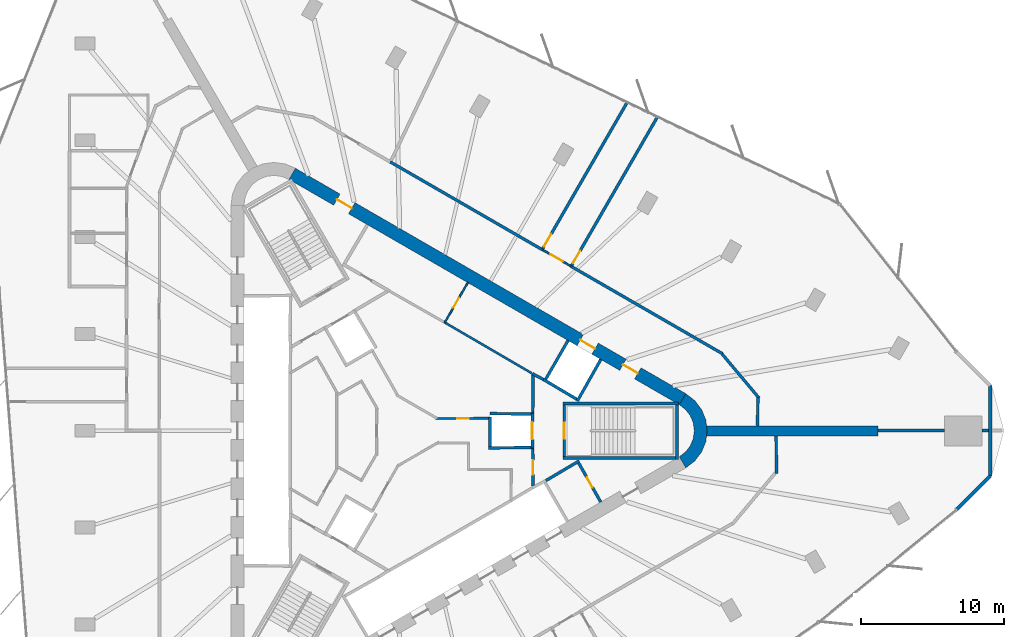
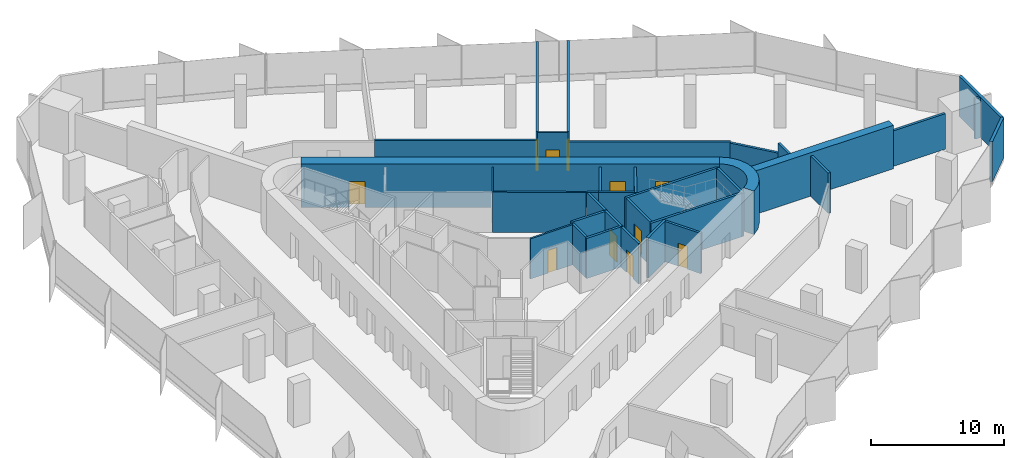
# One storey, part 11 of 13: 34 walls, 12 doors, 12 openings.
"""IFC4 building model written with IfcOpenShell, lengths in metres."""

from ifc_helpers import new_model, si_unit, direction, frame, frame_2d, origin, place, context, subcontext, project, spatial, polyline, rectangle, outline, extrude, material, layer, layer_set, type_object, element, fill, save


model = new_model("IFC4")

# Units and contexts
model_context = context("Model", 3, precision=1e-05, world=origin(), true_north=direction((0.0, 1.0)))
body_context = subcontext(model_context, "Body", "Model", "MODEL_VIEW")
ifc_project = project(units=[si_unit("LENGTHUNIT", "METRE"), si_unit("AREAUNIT", "SQUARE_METRE"), si_unit("VOLUMEUNIT", "CUBIC_METRE"), si_unit("PLANEANGLEUNIT", "RADIAN"), si_unit("MASSUNIT", "GRAM", prefix="KILO")], contexts=[model_context])

# Site, building, storey
site_placement = place(None, origin())
site = spatial("IfcSite", under=ifc_project, at=site_placement, CompositionType="ELEMENT")
building_placement = place(site_placement, origin())
building = spatial("IfcBuilding", under=site, at=building_placement, Name="Tanit Gate Tower", CompositionType="ELEMENT")
storey_placement = place(building_placement, frame((0.0, 0.0, 201.199951171875)))
storey = spatial("IfcBuildingStorey", under=building, at=storey_placement, Name="L44", CompositionType="ELEMENT", Elevation=201.199951171875)

# Wall
ifc_material_1 = material(Name="Concrete C50/60", Category="concrete")
ifc_layer_1 = layer(ifc_material_1, 0.699951171875)
ifc_layer_set_1 = layer_set([ifc_layer_1], Name="BUTTRESS FIN 700 C50/60")
wall_type_1 = type_object("IfcWallType", Name="BUTTRESS FIN 700 C50/60", PredefinedType="SHEAR", material=ifc_layer_set_1)
wall_1_placement = place(storey_placement, frame((21.14990234375, 0.0, 0.0), z_axis=(0.0, 0.0, 1.0), x_axis=(1.0, 0.0, 0.0)))
element("IfcWall", 1, at=wall_1_placement, inside=storey, type_object=wall_type_1, Name="BUTTRESS FIN", PredefinedType="SHEAR", context=body_context, shape_type="SweptSolid", body=[
    extrude(rectangle(XDim=12.0068359375, YDim=0.699951171875, at=frame_2d((6.00341796875, 0.0))), origin(), (0.0, 0.0, 1.0), 4.0),
])

# Wall, openings, doors
ifc_material_2 = material(Name="Concrete C50/60", Category="concrete")
ifc_layer_2 = layer(ifc_material_2, 0.89990234375)
ifc_layer_set_2 = layer_set([ifc_layer_2], Name="CORE WALL 900 C50/60")
wall_type_2 = type_object("IfcWallType", Name="CORE WALL 900 C50/60", PredefinedType="SHEAR", material=ifc_layer_set_2)
wall_2_placement = place(storey_placement, frame((19.47509765625, 2.20849609375, 0.0), z_axis=(0.0, 0.0, 1.0), x_axis=(-0.866028369851, 0.499994862586, 0.0)))
wall_2 = element("IfcWall", 2, at=wall_2_placement, inside=storey, type_object=wall_type_2, Name="CORE WALL", PredefinedType="SHEAR", context=body_context, shape_type="SweptSolid", body=[
    extrude(rectangle(XDim=31.523193359375, YDim=0.89990234375, at=frame_2d((15.76171875, 0.0))), origin(), (0.0, 0.0, 1.0), 4.0),
])
opening_1_placement = place(wall_2_placement, frame((7.0615234375, 0.0, 0.0)))
opening_1 = element("IfcOpeningElement", 3, at=opening_1_placement, cuts=wall_2, Name="Opening LDML8-S11", PredefinedType="OPENING", context=body_context, shape_type="SweptSolid", body=[
    extrude(rectangle(XDim=1.199951171875, YDim=2.39990234375, at=frame_2d((0.60009765625, 1.199951171875))), frame((0.0, 0.4599609375, 0.0), z_axis=(0.0, -1.0, 0.0), x_axis=(1.0, 0.0, 0.0)), (0.0, 0.0, 1.0), 0.919921875),
])
opening_2_placement = place(wall_2_placement, frame((3.611572265625, 0.0, 0.0)))
opening_2 = element("IfcOpeningElement", 4, at=opening_2_placement, cuts=wall_2, Name="Opening F12-S11-FL1", PredefinedType="OPENING", context=body_context, shape_type="SweptSolid", body=[
    extrude(rectangle(XDim=1.199951171875, YDim=2.39990234375, at=frame_2d((0.60009765625, 1.199951171875))), frame((0.0, 0.4599609375, 0.0), z_axis=(0.0, -1.0, 0.0), x_axis=(1.0, 0.0, 0.0)), (0.0, 0.0, 1.0), 0.919921875),
])
opening_3_placement = place(wall_2_placement, frame((26.711669921875, 0.0, 0.0)))
opening_3 = element("IfcOpeningElement", 5, at=opening_3_placement, cuts=wall_2, Name="Opening F12-S11-S2", PredefinedType="OPENING", context=body_context, shape_type="SweptSolid", body=[
    extrude(rectangle(XDim=1.199951171875, YDim=2.39990234375, at=frame_2d((0.60009765625, 1.199951171875))), frame((0.0, 0.4599609375, 0.0), z_axis=(0.0, -1.0, 0.0), x_axis=(1.0, 0.0, 0.0)), (0.0, 0.0, 1.0), 0.919921875),
])
ifc_material_3 = material(Name="Fire-rated steel door leaf", Category="steel")
door_type_1 = type_object("IfcDoorType", Name="INT-DOOR-FIRE-LOBBY-1200", OperationType="NOTDEFINED", PredefinedType="USERDEFINED", material=ifc_material_3)
door_1_placement = place(opening_2_placement, origin())
door_1 = element("IfcDoor", 6, at=door_1_placement, inside=storey, type_object=door_type_1, Name="Door F12-S11-FL1", ObjectType="FIRE DOOR", OperationType="SINGLE_SWING_LEFT", OverallHeight=2.39990234375, OverallWidth=1.199951171875, PredefinedType="USERDEFINED", context=body_context, shape_type="SweptSolid", body=[
    extrude(rectangle(XDim=1.199951171875, YDim=2.39990234375, at=frame_2d((0.60009765625, 1.199951171875))), frame((0.0, 0.02490234375, 0.0), z_axis=(0.0, -1.0, 0.0), x_axis=(1.0, 0.0, 0.0)), (0.0, 0.0, 1.0), 0.050048828125),
])
fill(opening_2, door_1)
door_2_placement = place(opening_3_placement, origin())
door_2 = element("IfcDoor", 7, at=door_2_placement, inside=storey, type_object=door_type_1, Name="Door F12-S11-S2", ObjectType="FIRE DOOR", OperationType="SINGLE_SWING_LEFT", OverallHeight=2.39990234375, OverallWidth=1.199951171875, PredefinedType="USERDEFINED", context=body_context, shape_type="SweptSolid", body=[
    extrude(rectangle(XDim=1.199951171875, YDim=2.39990234375, at=frame_2d((0.60009765625, 1.199951171875))), frame((0.0, 0.02490234375, 0.0), z_axis=(0.0, -1.0, 0.0), x_axis=(1.0, 0.0, 0.0)), (0.0, 0.0, 1.0), 0.050048828125),
])
fill(opening_3, door_2)
ifc_material_4 = material(Name="Stainless steel sliding door leaf", Category="steel")
door_type_2 = type_object("IfcDoorType", Name="INT-DOOR-LANDING-1200", OperationType="NOTDEFINED", PredefinedType="USERDEFINED", material=ifc_material_4)
door_3_placement = place(opening_1_placement, origin())
door_3 = element("IfcDoor", 8, at=door_3_placement, inside=storey, type_object=door_type_2, Name="Door LDML8-S11", ObjectType="LANDING DOOR", OperationType="SLIDING_TO_LEFT", OverallHeight=2.39990234375, OverallWidth=1.199951171875, PredefinedType="USERDEFINED", context=body_context, shape_type="SweptSolid", body=[
    extrude(rectangle(XDim=1.199951171875, YDim=2.39990234375, at=frame_2d((0.60009765625, 1.199951171875))), frame((0.0, 0.02490234375, 0.0), z_axis=(0.0, -1.0, 0.0), x_axis=(1.0, 0.0, 0.0)), (0.0, 0.0, 1.0), 0.050048828125),
])
fill(opening_1, door_3)

# Walls
wall_3_placement = place(storey_placement, origin())
element("IfcWall", 9, at=wall_3_placement, inside=storey, type_object=wall_type_2, Name="CORE WALL CORNER", PredefinedType="SHEAR", context=body_context, shape_type="SweptSolid", body=[
    extrude(outline(polyline([(19.699951171875, -2.59814453125), (20.3212890625, -2.121337890625), (20.798095703125, -1.5), (21.097900390625, -0.776611328125), (21.199951171875, 0.0), (21.097900390625, 0.776611328125), (20.798095703125, 1.5), (20.3212890625, 2.121337890625), (19.699951171875, 2.59814453125), (19.25, 1.818603515625), (19.684814453125, 1.48486328125), (20.018798828125, 1.050048828125), (20.228515625, 0.54345703125), (20.300048828125, 0.0), (20.228515625, -0.54345703125), (20.018798828125, -1.050048828125), (19.684814453125, -1.48486328125), (19.25, -1.818603515625), (19.699951171875, -2.59814453125)])), origin(), (0.0, 0.0, 1.0), 4.0),
])
ifc_material_5 = material(Name="Concrete C30/37 with bronze anodised aluminium cladding", Category="concrete")
ifc_layer_3 = layer(ifc_material_5, 0.239990234375)
ifc_layer_set_3 = layer_set([ifc_layer_3], Name="Facade wall bronze clad 240")
wall_type_3 = type_object("IfcWallType", Name="Facade wall bronze clad 240", PredefinedType="SOLIDWALL", material=ifc_layer_set_3)
wall_4_placement = place(storey_placement, frame((38.648681640625, -5.5009765625, 0.0), z_axis=(0.0, 0.0, 1.0), x_axis=(0.707106781187, 0.707106781187, 0.0)))
element("IfcWall", 10, at=wall_4_placement, inside=storey, type_object=wall_type_3, Name="Bronze-clad facade wall L44 E.arc1", PredefinedType="SOLIDWALL", context=body_context, shape_type="SweptSolid", body=[
    extrude(rectangle(XDim=3.30322265625, YDim=0.239990234375, at=frame_2d((1.651611328125, 0.0))), origin(), (0.0, 0.0, 1.0), 3.699951171875),
])
wall_5_placement = place(storey_placement, frame((40.984375, -3.165283203125, 0.0), z_axis=(0.0, 0.0, 1.0), x_axis=(0.0, 1.0, 0.0)))
element("IfcWall", 11, at=wall_5_placement, inside=storey, type_object=wall_type_3, Name="Bronze-clad facade wall L44 E.arc2", PredefinedType="SOLIDWALL", context=body_context, shape_type="SweptSolid", body=[
    extrude(rectangle(XDim=6.33056640625, YDim=0.239990234375, at=frame_2d((3.165283203125, 0.0))), origin(), (0.0, 0.0, 1.0), 3.699951171875),
])
ifc_material_6 = material(Name="Fire-rated gypsum board partition")
ifc_layer_4 = layer(ifc_material_6, 0.199951171875)
ifc_layer_set_4 = layer_set([ifc_layer_4], Name="INT-WALL-COMPARTMENT")
wall_type_4 = type_object("IfcWallType", Name="INT-WALL-COMPARTMENT", PredefinedType="PARTITIONING", material=ifc_layer_set_4)
wall_6_placement = place(storey_placement, frame((8.97412109375, 3.998779296875, 0.0), z_axis=(0.0, 0.0, 1.0), x_axis=(0.880917147855, -0.473270513147, 0.0)))
element("IfcWall", 12, at=wall_6_placement, inside=storey, type_object=wall_type_4, Name="Wall Compartment W050", PredefinedType="PARTITIONING", context=body_context, shape_type="SweptSolid", body=[
    extrude(rectangle(XDim=0.8779296875, YDim=0.199951171875, at=frame_2d((0.43896484375, 0.0))), origin(), (0.0, 0.0, 1.0), 3.699951171875),
])
wall_7_placement = place(storey_placement, frame((12.244873046875, -2.10888671875, 0.0), z_axis=(0.0, 0.0, 1.0), x_axis=(-0.860414880418, -0.509594185166, 0.0)))
element("IfcWall", 13, at=wall_7_placement, inside=storey, type_object=wall_type_4, Name="Wall Compartment W055", PredefinedType="PARTITIONING", context=body_context, shape_type="SweptSolid", body=[
    extrude(rectangle(XDim=2.7001953125, YDim=0.199951171875, at=frame_2d((1.35009765625, 0.0))), origin(), (0.0, 0.0, 1.0), 3.699951171875),
])

# Wall, opening, door
wall_8_placement = place(storey_placement, frame((13.758056640625, -4.989501953125, 0.0), z_axis=(0.0, 0.0, 1.0), x_axis=(-0.491993409184, 0.87059892334, 0.0)))
wall_8 = element("IfcWall", 14, at=wall_8_placement, inside=storey, type_object=wall_type_4, Name="Wall Compartment W056", PredefinedType="PARTITIONING", context=body_context, shape_type="SweptSolid", body=[
    extrude(rectangle(XDim=3.150146484375, YDim=0.199951171875, at=frame_2d((1.5751953125, 0.0))), origin(), (0.0, 0.0, 1.0), 3.699951171875),
])
opening_4_placement = place(wall_8_placement, frame((1.175048828125, 0.0, 0.0)))
opening_4 = element("IfcOpeningElement", 15, at=opening_4_placement, cuts=wall_8, Name="Opening R08-S11-16", PredefinedType="OPENING", context=body_context, shape_type="SweptSolid", body=[
    extrude(rectangle(XDim=0.800048828125, YDim=2.10009765625, at=frame_2d((0.39990234375, 1.050048828125))), frame((0.0, 0.10986328125, 0.0), z_axis=(0.0, -1.0, 0.0), x_axis=(1.0, 0.0, 0.0)), (0.0, 0.0, 1.0), 0.219970703125),
])
ifc_material_7 = material(Name="Timber door leaf", Category="wood")
door_type_3 = type_object("IfcDoorType", Name="INT-DOOR-RISER-800", OperationType="NOTDEFINED", PredefinedType="USERDEFINED", material=ifc_material_7)
door_4_placement = place(opening_4_placement, origin())
door_4 = element("IfcDoor", 16, at=door_4_placement, inside=storey, type_object=door_type_3, Name="Door R08-S11-16", ObjectType="FIRE DOOR", OperationType="SINGLE_SWING_RIGHT", OverallHeight=2.10009765625, OverallWidth=0.800048828125, PredefinedType="USERDEFINED", context=body_context, shape_type="SweptSolid", body=[
    extrude(rectangle(XDim=0.800048828125, YDim=2.10009765625, at=frame_2d((0.39990234375, 1.050048828125))), frame((0.0, 0.02490234375, 0.0), z_axis=(0.0, -1.0, 0.0), x_axis=(1.0, 0.0, 0.0)), (0.0, 0.0, 1.0), 0.050048828125),
])
fill(opening_4, door_4)

# Wall
wall_9_placement = place(storey_placement, frame((9.0009765625, 1.27001953125, 0.0), z_axis=(0.0, 0.0, 1.0), x_axis=(0.010747252091, 0.999942246619, 0.0)))
element("IfcWall", 17, at=wall_9_placement, inside=storey, type_object=wall_type_4, Name="Wall Compartment W057", PredefinedType="PARTITIONING", context=body_context, shape_type="SweptSolid", body=[
    extrude(rectangle(XDim=2.72607421875, YDim=0.199951171875, at=frame_2d((1.363037109375, 0.0))), origin(), (0.0, 0.0, 1.0), 3.699951171875),
])

# Wall, opening, door
wall_10_placement = place(storey_placement, frame((9.02880859375, -3.850830078125, 0.0), z_axis=(0.0, 0.0, 1.0), x_axis=(-0.010783593937, 0.99994185536, 0.0)))
wall_10 = element("IfcWall", 18, at=wall_10_placement, inside=storey, type_object=wall_type_4, Name="Wall Compartment W058", PredefinedType="PARTITIONING", context=body_context, shape_type="SweptSolid", body=[
    extrude(rectangle(XDim=2.5810546875, YDim=0.199951171875, at=frame_2d((1.29052734375, 0.0))), origin(), (0.0, 0.0, 1.0), 3.699951171875),
])
opening_5_placement = place(wall_10_placement, frame((0.79052734375, 0.0, 0.0)))
opening_5 = element("IfcOpeningElement", 19, at=opening_5_placement, cuts=wall_10, Name="Opening F10-S11-02", PredefinedType="OPENING", context=body_context, shape_type="SweptSolid", body=[
    extrude(rectangle(XDim=1.0, YDim=2.10009765625, at=frame_2d((0.5, 1.050048828125))), frame((0.0, 0.10986328125, 0.0), z_axis=(0.0, -1.0, 0.0), x_axis=(1.0, 0.0, 0.0)), (0.0, 0.0, 1.0), 0.219970703125),
])
ifc_material_8 = material(Name="Fire-rated steel door leaf", Category="steel")
door_type_4 = type_object("IfcDoorType", Name="INT-DOOR-FIRE-1000", OperationType="NOTDEFINED", PredefinedType="USERDEFINED", material=ifc_material_8)
door_5_placement = place(opening_5_placement, origin())
door_5 = element("IfcDoor", 20, at=door_5_placement, inside=storey, type_object=door_type_4, Name="Door F10-S11-02", ObjectType="FIRE DOOR", OperationType="SINGLE_SWING_RIGHT", OverallHeight=2.10009765625, OverallWidth=1.0, PredefinedType="USERDEFINED", context=body_context, shape_type="SweptSolid", body=[
    extrude(rectangle(XDim=1.0, YDim=2.10009765625, at=frame_2d((0.5, 1.050048828125))), frame((0.0, 0.02490234375, 0.0), z_axis=(0.0, -1.0, 0.0), x_axis=(1.0, 0.0, 0.0)), (0.0, 0.0, 1.0), 0.050048828125),
])
fill(opening_5, door_5)

# Walls
wall_11_placement = place(storey_placement, frame((22.270263671875, 5.386474609375, 0.0), z_axis=(0.0, 0.0, 1.0), x_axis=(-0.866019551165, 0.500010136897, 0.0)))
element("IfcWall", 21, at=wall_11_placement, inside=storey, type_object=wall_type_4, Name="Wall Compartment W104", PredefinedType="PARTITIONING", context=body_context, shape_type="SweptSolid", body=[
    extrude(rectangle(XDim=12.243408203125, YDim=0.199951171875, at=frame_2d((6.12158203125, 0.0))), origin(), (0.0, 0.0, 1.0), 2.880126953125),
])
wall_12_placement = place(storey_placement, frame((9.67529296875, 12.658203125, 0.0), z_axis=(0.0, 0.0, 1.0), x_axis=(-0.866018456403, 0.500012033024, 0.0)))
element("IfcWall", 22, at=wall_12_placement, inside=storey, type_object=wall_type_4, Name="Wall Compartment W103", PredefinedType="PARTITIONING", context=body_context, shape_type="SweptSolid", body=[
    extrude(rectangle(XDim=12.284912109375, YDim=0.199951171875, at=frame_2d((6.142578125, 0.0))), origin(), (0.0, 0.0, 1.0), 2.97998046875),
])
wall_13_placement = place(storey_placement, frame((24.82080078125, 2.293701171875, 0.0), z_axis=(0.0, 0.0, 1.0), x_axis=(-0.642778579944, 0.766052019882, 0.0)))
element("IfcWall", 23, at=wall_13_placement, inside=storey, type_object=wall_type_4, Name="Wall Compartment W105", PredefinedType="PARTITIONING", context=body_context, shape_type="SweptSolid", body=[
    extrude(rectangle(XDim=4.00244140625, YDim=0.199951171875, at=frame_2d((2.001220703125, 0.0))), origin(), (0.0, 0.0, 1.0), 2.780029296875),
])
wall_14_placement = place(storey_placement, frame((24.720703125, 0.35009765625, 0.0), z_axis=(0.0, 0.0, 1.0), x_axis=(0.012552857034, 0.999921209786, 0.0)))
element("IfcWall", 24, at=wall_14_placement, inside=storey, type_object=wall_type_4, Name="Wall Compartment W106", PredefinedType="PARTITIONING", context=body_context, shape_type="SweptSolid", body=[
    extrude(rectangle(XDim=1.98388671875, YDim=0.199951171875, at=frame_2d((0.991943359375, 0.0))), origin(), (0.0, 0.0, 1.0), 3.699951171875),
])
wall_15_placement = place(storey_placement, frame((26.04736328125, -2.972412109375, 0.0), z_axis=(0.0, 0.0, 1.0), x_axis=(-0.010519853563, 0.99994466481, 0.0)))
element("IfcWall", 25, at=wall_15_placement, inside=storey, type_object=wall_type_4, Name="Wall Compartment W108", PredefinedType="PARTITIONING", context=body_context, shape_type="SweptSolid", body=[
    extrude(rectangle(XDim=2.62255859375, YDim=0.199951171875, at=frame_2d((1.311279296875, 0.0))), origin(), (0.0, 0.0, 1.0), 3.699951171875),
])

# Wall, opening, door
wall_16_placement = place(storey_placement, frame((15.5986328125, 22.9580078125, 0.0), z_axis=(0.0, 0.0, 1.0), x_axis=(-0.499990610615, -0.866030824681, 0.0)))
wall_16 = element("IfcWall", 26, at=wall_16_placement, inside=storey, type_object=wall_type_4, Name="Wall Compartment W128", PredefinedType="PARTITIONING", context=body_context, shape_type="SweptSolid", body=[
    extrude(rectangle(XDim=11.821533203125, YDim=0.199951171875, at=frame_2d((5.91064453125, 0.0))), origin(), (0.0, 0.0, 1.0), 3.699951171875),
])
opening_6_placement = place(wall_16_placement, frame((10.621337890625, 0.0, 0.0)))
opening_6 = element("IfcOpeningElement", 27, at=opening_6_placement, cuts=wall_16, Name="Opening F10-S11-28", PredefinedType="OPENING", context=body_context, shape_type="SweptSolid", body=[
    extrude(rectangle(XDim=1.0, YDim=2.10009765625, at=frame_2d((0.5, 1.050048828125))), frame((0.0, 0.10986328125, 0.0), z_axis=(0.0, -1.0, 0.0), x_axis=(1.0, 0.0, 0.0)), (0.0, 0.0, 1.0), 0.219970703125),
])
door_6_placement = place(opening_6_placement, origin())
door_6 = element("IfcDoor", 28, at=door_6_placement, inside=storey, type_object=door_type_4, Name="Door F10-S11-28", ObjectType="FIRE DOOR", OperationType="SINGLE_SWING_LEFT", OverallHeight=2.10009765625, OverallWidth=1.0, PredefinedType="USERDEFINED", context=body_context, shape_type="SweptSolid", body=[
    extrude(rectangle(XDim=1.0, YDim=2.10009765625, at=frame_2d((0.5, 1.050048828125))), frame((0.0, 0.02490234375, 0.0), z_axis=(0.0, -1.0, 0.0), x_axis=(1.0, 0.0, 0.0)), (0.0, 0.0, 1.0), 0.050048828125),
])
fill(opening_6, door_6)

wall_17_placement = place(storey_placement, frame((11.714599609375, 11.550048828125, 0.0), z_axis=(0.0, 0.0, 1.0), x_axis=(0.499988877688, 0.866031825159, 0.0)))
wall_17 = element("IfcWall", 29, at=wall_17_placement, inside=storey, type_object=wall_type_4, Name="Wall Compartment W129", PredefinedType="PARTITIONING", context=body_context, shape_type="SweptSolid", body=[
    extrude(rectangle(XDim=12.004150390625, YDim=0.199951171875, at=frame_2d((6.001953125, 0.0))), origin(), (0.0, 0.0, 1.0), 3.699951171875),
])
opening_7_placement = place(wall_17_placement, frame((0.199951171875, 0.0, 0.0)))
opening_7 = element("IfcOpeningElement", 30, at=opening_7_placement, cuts=wall_17, Name="Opening F10-S11-29", PredefinedType="OPENING", context=body_context, shape_type="SweptSolid", body=[
    extrude(rectangle(XDim=1.0, YDim=2.10009765625, at=frame_2d((0.5, 1.050048828125))), frame((0.0, 0.10986328125, 0.0), z_axis=(0.0, -1.0, 0.0), x_axis=(1.0, 0.0, 0.0)), (0.0, 0.0, 1.0), 0.219970703125),
])
door_7_placement = place(opening_7_placement, origin())
door_7 = element("IfcDoor", 31, at=door_7_placement, inside=storey, type_object=door_type_4, Name="Door F10-S11-29", ObjectType="FIRE DOOR", OperationType="SINGLE_SWING_LEFT", OverallHeight=2.10009765625, OverallWidth=1.0, PredefinedType="USERDEFINED", context=body_context, shape_type="SweptSolid", body=[
    extrude(rectangle(XDim=1.0, YDim=2.10009765625, at=frame_2d((0.5, 1.050048828125))), frame((0.0, 0.02490234375, 0.0), z_axis=(0.0, -1.0, 0.0), x_axis=(1.0, 0.0, 0.0)), (0.0, 0.0, 1.0), 0.050048828125),
])
fill(opening_7, door_7)

# Walls
wall_18_placement = place(storey_placement, frame((33.15673828125, 0.01806640625, 0.0), z_axis=(0.0, 0.0, 1.0), x_axis=(0.999996690576, 0.002572710167, 0.0)))
element("IfcWall", 32, at=wall_18_placement, inside=storey, type_object=wall_type_4, Name="Wall Compartment W131", PredefinedType="PARTITIONING", context=body_context, shape_type="SweptSolid", body=[
    extrude(rectangle(XDim=4.64990234375, YDim=0.199951171875, at=frame_2d((2.324951171875, 0.0))), origin(), (0.0, 0.0, 1.0), 3.27001953125),
])
wall_19_placement = place(storey_placement, frame((40.40673828125, 0.030029296875, 0.0), z_axis=(0.0, 0.0, 1.0), x_axis=(1.0, 0.0, 0.0)))
element("IfcWall", 33, at=wall_19_placement, inside=storey, type_object=wall_type_4, Name="Wall Compartment W132", PredefinedType="PARTITIONING", context=body_context, shape_type="SweptSolid", body=[
    extrude(rectangle(XDim=0.45751953125, YDim=0.199951171875, at=frame_2d((0.228759765625, 0.0))), origin(), (0.0, 0.0, 1.0), 3.699951171875),
])

# Wall, opening, door
ifc_material_9 = material(Name="Gypsum board partition")
ifc_layer_5 = layer(ifc_material_9, 0.1201171875)
ifc_layer_set_5 = layer_set([ifc_layer_5], Name="INT-WALL-PARTITION")
wall_type_5 = type_object("IfcWallType", Name="INT-WALL-PARTITION", PredefinedType="PARTITIONING", material=ifc_layer_set_5)
wall_20_placement = place(storey_placement, frame((4.456787109375, 10.359375, 0.0), z_axis=(0.0, 0.0, 1.0), x_axis=(-0.500017246033, -0.866015446554, 0.0)))
wall_20 = element("IfcWall", 34, at=wall_20_placement, inside=storey, type_object=wall_type_5, Name="Wall Partition W049", PredefinedType="PARTITIONING", context=body_context, shape_type="SweptSolid", body=[
    extrude(rectangle(XDim=3.25, YDim=0.1201171875, at=frame_2d((1.625, 0.0))), origin(), (0.0, 0.0, 1.0), 3.699951171875),
])
opening_8_placement = place(wall_20_placement, frame((1.22509765625, 0.0, 0.0)))
opening_8 = element("IfcOpeningElement", 35, at=opening_8_placement, cuts=wall_20, Name="Opening R08-S11-14", PredefinedType="OPENING", context=body_context, shape_type="SweptSolid", body=[
    extrude(rectangle(XDim=0.800048828125, YDim=2.10009765625, at=frame_2d((0.39990234375, 1.050048828125))), frame((0.0, 0.070068359375, 0.0), z_axis=(0.0, -1.0, 0.0), x_axis=(1.0, 0.0, 0.0)), (0.0, 0.0, 1.0), 0.14013671875),
])
door_8_placement = place(opening_8_placement, origin())
door_8 = element("IfcDoor", 36, at=door_8_placement, inside=storey, type_object=door_type_3, Name="Door R08-S11-14", ObjectType="FIRE DOOR", OperationType="SINGLE_SWING_RIGHT", OverallHeight=2.10009765625, OverallWidth=0.800048828125, PredefinedType="USERDEFINED", context=body_context, shape_type="SweptSolid", body=[
    extrude(rectangle(XDim=0.800048828125, YDim=2.10009765625, at=frame_2d((0.39990234375, 1.050048828125))), frame((0.0, 0.02490234375, 0.0), z_axis=(0.0, -1.0, 0.0), x_axis=(1.0, 0.0, 0.0)), (0.0, 0.0, 1.0), 0.050048828125),
])
fill(opening_8, door_8)

wall_21_placement = place(storey_placement, frame((11.667236328125, 11.50830078125, 0.0), z_axis=(0.0, 0.0, 1.0), x_axis=(-0.866053019151, 0.499952165731, 0.0)))
wall_21 = element("IfcWall", 37, at=wall_21_placement, inside=storey, type_object=wall_type_5, Name="Wall Partition W099", PredefinedType="PARTITIONING", context=body_context, shape_type="SweptSolid", body=[
    extrude(rectangle(XDim=2.300048828125, YDim=0.1201171875, at=frame_2d((1.14990234375, 0.0))), origin(), (0.0, 0.0, 1.0), 3.699951171875),
])
opening_9_placement = place(wall_21_placement, frame((0.64990234375, 0.0, 0.0)))
opening_9 = element("IfcOpeningElement", 38, at=opening_9_placement, cuts=wall_21, Name="Opening D10-S11-19", PredefinedType="OPENING", context=body_context, shape_type="SweptSolid", body=[
    extrude(rectangle(XDim=1.0, YDim=2.10009765625, at=frame_2d((0.5, 1.050048828125))), frame((0.0, 0.070068359375, 0.0), z_axis=(0.0, -1.0, 0.0), x_axis=(1.0, 0.0, 0.0)), (0.0, 0.0, 1.0), 0.14013671875),
])
ifc_material_10 = material(Name="Timber door leaf", Category="wood")
door_type_5 = type_object("IfcDoorType", Name="INT-DOOR-SINGLE-1000", OperationType="NOTDEFINED", PredefinedType="NOTDEFINED", material=ifc_material_10)
door_9_placement = place(opening_9_placement, origin())
door_9 = element("IfcDoor", 39, at=door_9_placement, inside=storey, type_object=door_type_5, Name="Door D10-S11-19", OperationType="SINGLE_SWING_RIGHT", OverallHeight=2.10009765625, OverallWidth=1.0, PredefinedType="NOTDEFINED", context=body_context, shape_type="SweptSolid", body=[
    extrude(rectangle(XDim=1.0, YDim=2.10009765625, at=frame_2d((0.5, 1.050048828125))), frame((0.0, 0.02490234375, 0.0), z_axis=(0.0, -1.0, 0.0), x_axis=(1.0, 0.0, 0.0)), (0.0, 0.0, 1.0), 0.050048828125),
])
fill(opening_9, door_9)

# Wall
ifc_material_11 = material(Name="Fire-rated gypsum board partition")
ifc_layer_6 = layer(ifc_material_11, 0.14990234375)
ifc_layer_set_6 = layer_set([ifc_layer_6], Name="INT-WALL-RISER")
wall_type_6 = type_object("IfcWallType", Name="INT-WALL-RISER", PredefinedType="PLUMBINGWALL", material=ifc_layer_set_6)
wall_22_placement = place(storey_placement, frame((8.9306640625, 4.0244140625, 0.0), z_axis=(0.0, 0.0, 1.0), x_axis=(-0.863936620311, 0.50360055211, 0.0)))
element("IfcWall", 40, at=wall_22_placement, inside=storey, type_object=wall_type_6, Name="Wall Riser W051", PredefinedType="PLUMBINGWALL", context=body_context, shape_type="SweptSolid", body=[
    extrude(rectangle(XDim=7.072021484375, YDim=0.14990234375, at=frame_2d((3.5361328125, 0.0))), origin(), (0.0, 0.0, 1.0), 3.699951171875),
])

# Wall, opening, door
wall_23_placement = place(storey_placement, frame((2.210693359375, 0.848876953125, 0.0), z_axis=(0.0, 0.0, 1.0), x_axis=(0.999967410175, 0.00807332566, 0.0)))
wall_23 = element("IfcWall", 41, at=wall_23_placement, inside=storey, type_object=wall_type_6, Name="Wall Riser W063", PredefinedType="PLUMBINGWALL", context=body_context, shape_type="SweptSolid", body=[
    extrude(rectangle(XDim=3.689208984375, YDim=0.14990234375, at=frame_2d((1.8447265625, 0.0))), origin(), (0.0, 0.0, 1.0), 3.699951171875),
])
opening_10_placement = place(wall_23_placement, frame((1.50830078125, 0.0, 0.0)))
opening_10 = element("IfcOpeningElement", 42, at=opening_10_placement, cuts=wall_23, Name="Opening R08-S11-10", PredefinedType="OPENING", context=body_context, shape_type="SweptSolid", body=[
    extrude(rectangle(XDim=0.800048828125, YDim=2.10009765625, at=frame_2d((0.39990234375, 1.050048828125))), frame((0.0, 0.0849609375, 0.0), z_axis=(0.0, -1.0, 0.0), x_axis=(1.0, 0.0, 0.0)), (0.0, 0.0, 1.0), 0.169921875),
])
door_10_placement = place(opening_10_placement, origin())
door_10 = element("IfcDoor", 43, at=door_10_placement, inside=storey, type_object=door_type_3, Name="Door R08-S11-10", ObjectType="FIRE DOOR", OperationType="SINGLE_SWING_RIGHT", OverallHeight=2.10009765625, OverallWidth=0.800048828125, PredefinedType="USERDEFINED", context=body_context, shape_type="SweptSolid", body=[
    extrude(rectangle(XDim=0.800048828125, YDim=2.10009765625, at=frame_2d((0.39990234375, 1.050048828125))), frame((0.0, 0.02490234375, 0.0), z_axis=(0.0, -1.0, 0.0), x_axis=(1.0, 0.0, 0.0)), (0.0, 0.0, 1.0), 0.050048828125),
])
fill(opening_10, door_10)

# Walls
ifc_material_12 = material(Name="Gypsum shaft wall system")
ifc_layer_7 = layer(ifc_material_12, 0.199951171875)
ifc_layer_set_7 = layer_set([ifc_layer_7], Name="INT-WALL-SHAFT")
wall_type_7 = type_object("IfcWallType", Name="INT-WALL-SHAFT", PredefinedType="PLUMBINGWALL", material=ifc_layer_set_7)
wall_24_placement = place(storey_placement, frame((9.8466796875, 3.494873046875, 0.0), z_axis=(0.0, 0.0, 1.0), x_axis=(0.499984717929, 0.866034226713, 0.0)))
element("IfcWall", 44, at=wall_24_placement, inside=storey, type_object=wall_type_7, Name="Wall Shaft W012", PredefinedType="PLUMBINGWALL", context=body_context, shape_type="SweptSolid", body=[
    extrude(rectangle(XDim=3.25, YDim=0.199951171875, at=frame_2d((1.625, 0.0))), origin(), (0.0, 0.0, 1.0), 3.699951171875),
])
wall_25_placement = place(storey_placement, frame((12.10986328125, 2.07275390625, 0.0), z_axis=(0.0, 0.0, 1.0), x_axis=(0.49196600604, 0.870614408852, 0.0)))
element("IfcWall", 45, at=wall_25_placement, inside=storey, type_object=wall_type_7, Name="Wall Shaft W013", PredefinedType="PLUMBINGWALL", context=body_context, shape_type="SweptSolid", body=[
    extrude(rectangle(XDim=3.35009765625, YDim=0.199951171875, at=frame_2d((1.675048828125, 0.0))), origin(), (0.0, 0.0, 1.0), 3.699951171875),
])
wall_26_placement = place(storey_placement, frame((12.072998046875, 2.2109375, 0.0), z_axis=(0.0, 0.0, 1.0), x_axis=(-0.860414880418, 0.509594185166, 0.0)))
element("IfcWall", 46, at=wall_26_placement, inside=storey, type_object=wall_type_7, Name="Wall Shaft W014", PredefinedType="PLUMBINGWALL", context=body_context, shape_type="SweptSolid", body=[
    extrude(rectangle(XDim=2.7001953125, YDim=0.199951171875, at=frame_2d((1.35009765625, 0.0))), origin(), (0.0, 0.0, 1.0), 3.699951171875),
])

# Wall, opening, door
wall_27_placement = place(storey_placement, frame((8.969970703125, 1.199951171875, 0.0), z_axis=(0.0, 0.0, 1.0), x_axis=(0.0, -1.0, 0.0)))
wall_27 = element("IfcWall", 47, at=wall_27_placement, inside=storey, type_object=wall_type_7, Name="Wall Shaft W029", PredefinedType="PLUMBINGWALL", context=body_context, shape_type="SweptSolid", body=[
    extrude(rectangle(XDim=2.39990234375, YDim=0.199951171875, at=frame_2d((1.199951171875, 0.0))), origin(), (0.0, 0.0, 1.0), 3.699951171875),
])
opening_11_placement = place(wall_27_placement, frame((0.60009765625, 0.0, 0.0)))
opening_11 = element("IfcOpeningElement", 48, at=opening_11_placement, cuts=wall_27, Name="Opening LDFL1-L44", PredefinedType="OPENING", context=body_context, shape_type="SweptSolid", body=[
    extrude(rectangle(XDim=1.199951171875, YDim=2.39990234375, at=frame_2d((0.60009765625, 1.199951171875))), frame((0.0, 0.10986328125, 0.0), z_axis=(0.0, -1.0, 0.0), x_axis=(1.0, 0.0, 0.0)), (0.0, 0.0, 1.0), 0.219970703125),
])
door_11_placement = place(opening_11_placement, origin())
door_11 = element("IfcDoor", 49, at=door_11_placement, inside=storey, type_object=door_type_2, Name="Door LDFL1-L44", ObjectType="LANDING DOOR", OperationType="SLIDING_TO_LEFT", OverallHeight=2.39990234375, OverallWidth=1.199951171875, PredefinedType="USERDEFINED", context=body_context, shape_type="SweptSolid", body=[
    extrude(rectangle(XDim=1.199951171875, YDim=2.39990234375, at=frame_2d((0.60009765625, 1.199951171875))), frame((0.0, 0.02490234375, 0.0), z_axis=(0.0, -1.0, 0.0), x_axis=(1.0, 0.0, 0.0)), (0.0, 0.0, 1.0), 0.050048828125),
])
fill(opening_11, door_11)

# Walls
wall_28_placement = place(storey_placement, frame((6.0, 1.199951171875, 0.0), z_axis=(0.0, 0.0, 1.0), x_axis=(0.999949988, -0.010001074852, 0.0)))
element("IfcWall", 50, at=wall_28_placement, inside=storey, type_object=wall_type_7, Name="Wall Shaft W030", PredefinedType="PLUMBINGWALL", context=body_context, shape_type="SweptSolid", body=[
    extrude(rectangle(XDim=3.100341796875, YDim=0.199951171875, at=frame_2d((1.55029296875, 0.0))), origin(), (0.0, 0.0, 1.0), 3.699951171875),
])
wall_29_placement = place(storey_placement, frame((5.89990234375, -1.200927734375, 0.0), z_axis=(0.0, 0.0, 1.0), x_axis=(0.999950064753, 0.009993397809, 0.0)))
element("IfcWall", 51, at=wall_29_placement, inside=storey, type_object=wall_type_7, Name="Wall Shaft W031", PredefinedType="PLUMBINGWALL", context=body_context, shape_type="SweptSolid", body=[
    extrude(rectangle(XDim=3.200439453125, YDim=0.199951171875, at=frame_2d((1.60009765625, 0.0))), origin(), (0.0, 0.0, 1.0), 3.699951171875),
])
wall_30_placement = place(storey_placement, frame((6.0, -1.10009765625, 0.0), z_axis=(0.0, 0.0, 1.0), x_axis=(0.0, 1.0, 0.0)))
element("IfcWall", 52, at=wall_30_placement, inside=storey, type_object=wall_type_7, Name="Wall Shaft W032", PredefinedType="PLUMBINGWALL", context=body_context, shape_type="SweptSolid", body=[
    extrude(rectangle(XDim=2.0546875, YDim=0.199951171875, at=frame_2d((1.02734375, 0.0))), origin(), (0.0, 0.0, 1.0), 3.699951171875),
])
ifc_material_13 = material(Name="Concrete C40/50", Category="concrete")
ifc_layer_8 = layer(ifc_material_13, 0.199951171875)
ifc_layer_set_8 = layer_set([ifc_layer_8], Name="INT-WALL-STAIR")
wall_type_8 = type_object("IfcWallType", Name="INT-WALL-STAIR", PredefinedType="SHEAR", material=ifc_layer_set_8)
wall_31_placement = place(storey_placement, frame((19.199951171875, 1.89990234375, -0.300048828125), z_axis=(0.0, 0.0, 1.0), x_axis=(-1.0, 0.0, 0.0)))
element("IfcWall", 53, at=wall_31_placement, inside=storey, type_object=wall_type_8, Name="Wall Stair W025", PredefinedType="SHEAR", context=body_context, shape_type="SweptSolid", body=[
    extrude(rectangle(XDim=8.099853515625, YDim=0.199951171875, at=frame_2d((4.0498046875, 0.0))), origin(), (0.0, 0.0, 1.0), 4.0),
])
wall_32_placement = place(storey_placement, frame((19.10009765625, -2.0, -0.300048828125), z_axis=(0.0, 0.0, 1.0), x_axis=(0.0, 1.0, 0.0)))
element("IfcWall", 54, at=wall_32_placement, inside=storey, type_object=wall_type_8, Name="Wall Stair W026", PredefinedType="SHEAR", context=body_context, shape_type="SweptSolid", body=[
    extrude(rectangle(XDim=3.800048828125, YDim=0.199951171875, at=frame_2d((1.89990234375, 0.0))), origin(), (0.0, 0.0, 1.0), 4.0),
])
wall_33_placement = place(storey_placement, frame((11.10009765625, -1.89990234375, -0.300048828125), z_axis=(0.0, 0.0, 1.0), x_axis=(1.0, 0.0, 0.0)))
element("IfcWall", 55, at=wall_33_placement, inside=storey, type_object=wall_type_8, Name="Wall Stair W027", PredefinedType="SHEAR", context=body_context, shape_type="SweptSolid", body=[
    extrude(rectangle(XDim=7.89990234375, YDim=0.199951171875, at=frame_2d((3.949951171875, 0.0))), origin(), (0.0, 0.0, 1.0), 4.0),
])

# Wall, opening, door
wall_34_placement = place(storey_placement, frame((11.199951171875, -1.800048828125, -0.300048828125), z_axis=(0.0, 0.0, 1.0), x_axis=(0.0, 1.0, 0.0)))
wall_34 = element("IfcWall", 56, at=wall_34_placement, inside=storey, type_object=wall_type_8, Name="Wall Stair W028", PredefinedType="SHEAR", context=body_context, shape_type="SweptSolid", body=[
    extrude(rectangle(XDim=3.60009765625, YDim=0.199951171875, at=frame_2d((1.800048828125, 0.0))), origin(), (0.0, 0.0, 1.0), 4.0),
])
opening_12_placement = place(wall_34_placement, frame((1.25, 0.0, 0.300048828125)))
opening_12 = element("IfcOpeningElement", 57, at=opening_12_placement, cuts=wall_34, Name="Opening S11-S11-01", PredefinedType="OPENING", context=body_context, shape_type="SweptSolid", body=[
    extrude(rectangle(XDim=1.10009765625, YDim=2.10009765625, at=frame_2d((0.550048828125, 1.050048828125))), frame((0.0, 0.10986328125, 0.0), z_axis=(0.0, -1.0, 0.0), x_axis=(1.0, 0.0, 0.0)), (0.0, 0.0, 1.0), 0.219970703125),
])
ifc_material_14 = material(Name="Timber door leaf", Category="wood")
door_type_6 = type_object("IfcDoorType", Name="INT-DOOR-STAIR-1100", OperationType="NOTDEFINED", PredefinedType="USERDEFINED", material=ifc_material_14)
door_12_placement = place(opening_12_placement, origin())
door_12 = element("IfcDoor", 58, at=door_12_placement, inside=storey, type_object=door_type_6, Name="Door S11-S11-01", ObjectType="FIRE DOOR", OperationType="SINGLE_SWING_LEFT", OverallHeight=2.10009765625, OverallWidth=1.10009765625, PredefinedType="USERDEFINED", context=body_context, shape_type="SweptSolid", body=[
    extrude(rectangle(XDim=1.10009765625, YDim=2.10009765625, at=frame_2d((0.550048828125, 1.050048828125))), frame((0.0, 0.02490234375, 0.0), z_axis=(0.0, -1.0, 0.0), x_axis=(1.0, 0.0, 0.0)), (0.0, 0.0, 1.0), 0.050048828125),
])
fill(opening_12, door_12)

save(model, "model.ifc")
